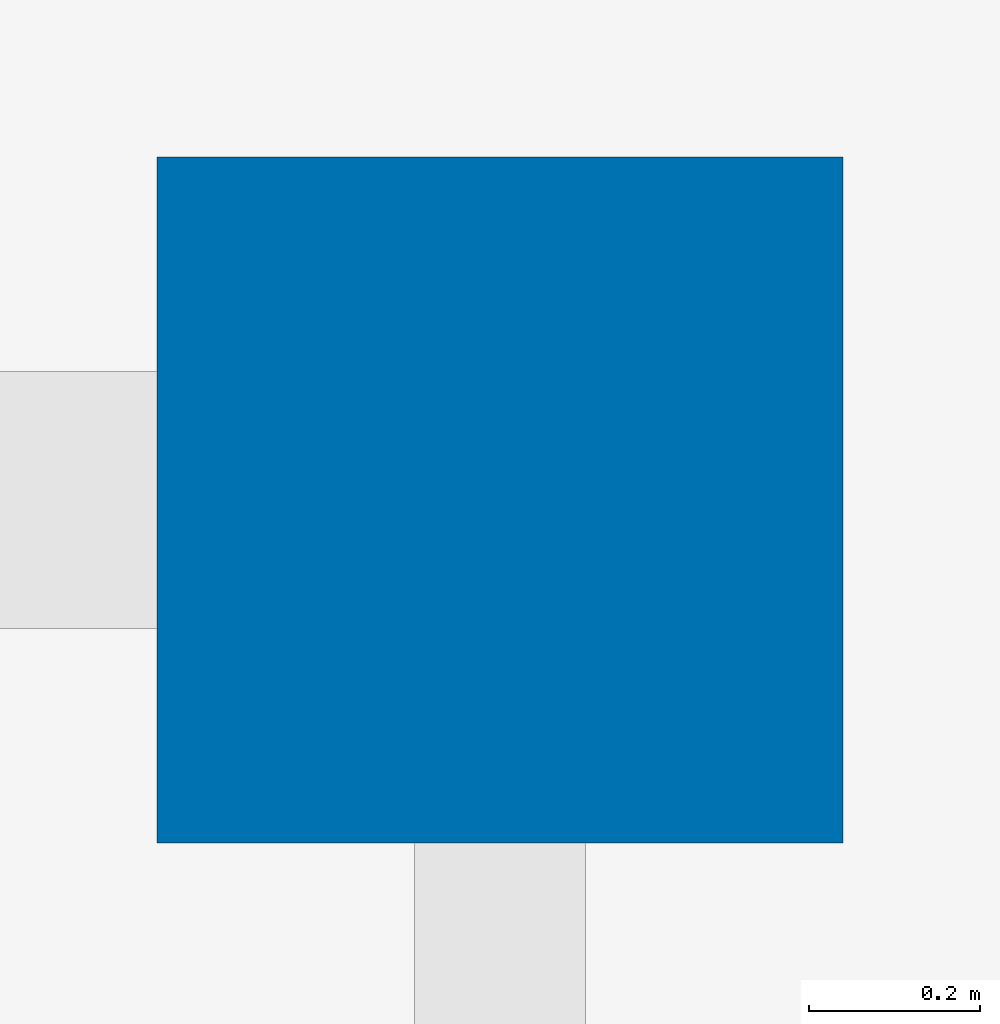
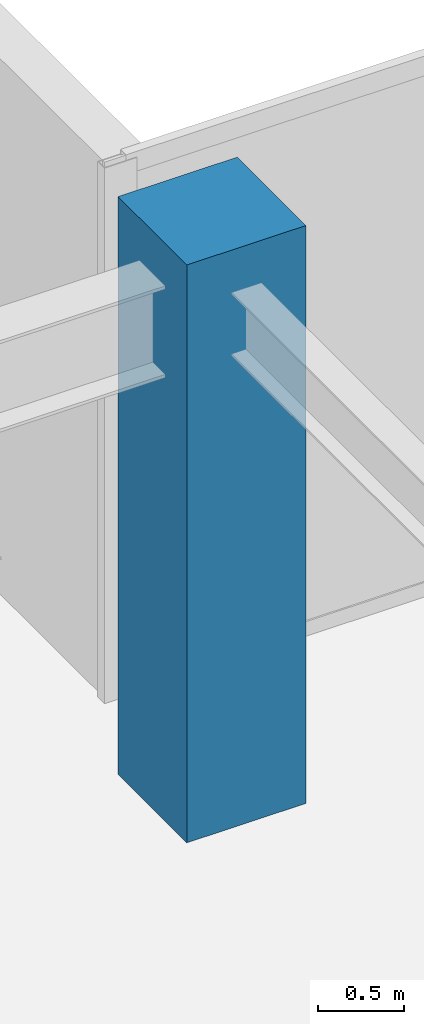
# One storey, part 4 of 33: 1 column.
"""IFC4 building model written with IfcOpenShell, lengths in metres."""

from ifc_helpers import new_model, si_unit, direction, frame, origin, origin_2d, place, context, subcontext, project, spatial, rectangle, extrude, source, transform, mapped, material, material_profile, profile_set, type_object, type_shapes, element, save


model = new_model("IFC4")

# Units and contexts
model_context = context("Model", 3, precision=1e-05, world=origin(), true_north=direction((0.0, 1.0)))
body_context = subcontext(model_context, "Body", "Model", "MODEL_VIEW")
ifc_project = project(units=[si_unit("LENGTHUNIT", "METRE"), si_unit("AREAUNIT", "SQUARE_METRE"), si_unit("VOLUMEUNIT", "CUBIC_METRE"), si_unit("PLANEANGLEUNIT", "RADIAN"), si_unit("MASSUNIT", "GRAM", prefix="KILO")], contexts=[model_context])

# Site, building, storey
site_placement = place(None, origin())
site = spatial("IfcSite", under=ifc_project, at=site_placement, CompositionType="ELEMENT")
building_placement = place(site_placement, origin())
building = spatial("IfcBuilding", under=site, at=building_placement, Name="Haelvirn Gate Laboratories", CompositionType="ELEMENT")
storey_placement = place(building_placement, frame((0.0, 0.0, 213.699951171875)))
storey = spatial("IfcBuildingStorey", under=building, at=storey_placement, Name="L51", CompositionType="ELEMENT", Elevation=213.699951171875)

# Column
ifc_material = material(Name="Concrete C50/60", Category="concrete")
ifc_material_profile = material_profile(ifc_material, rectangle(XDim=0.800048828125, YDim=0.800048828125, at=origin_2d()), Name="RC-800x800")
ifc_profile_set = profile_set([ifc_material_profile], Name="Concrete C50/60")
column_type = type_object("IfcColumnType", Name="COL-RC-800", PredefinedType="COLUMN", material=ifc_profile_set)
shared_shape = source(origin(), body_context, "Body", "SweptSolid", [
    extrude(rectangle(XDim=0.800048828125, YDim=0.800048828125, at=origin_2d()), origin(), (0.0, 0.0, 1.0), 4.10009765625),
])
type_shapes(column_type, [shared_shape])
column_placement = place(storey_placement, frame((67.39990234375, 41.60009765625, 0.0), z_axis=(0.0, 0.0, 1.0), x_axis=(1.0, 0.0, 0.0)))
element("IfcColumn", 1, at=column_placement, inside=storey, type_object=column_type, Name="L51 Column 10G", PredefinedType="COLUMN", context=body_context, shape_type="MappedRepresentation", body=[
    mapped(shared_shape, transform((0.0, 0.0, 0.0), scale=1.0)),
])

save(model, "model.ifc")
